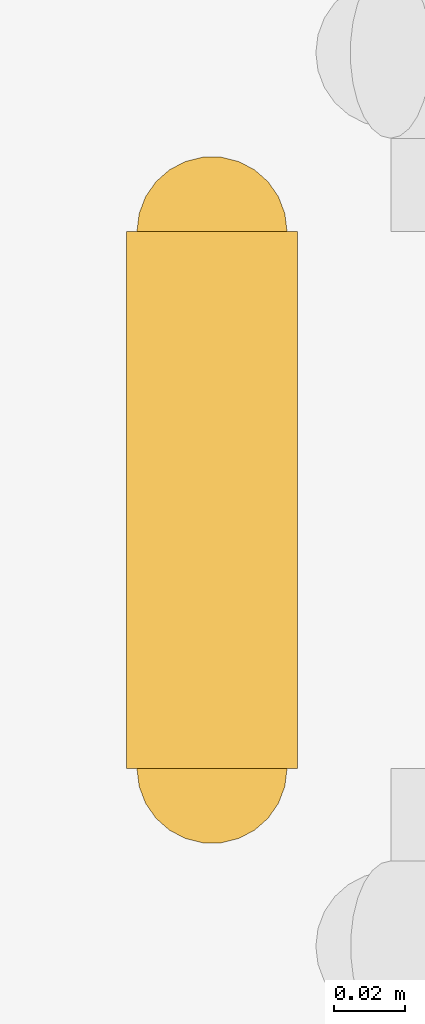
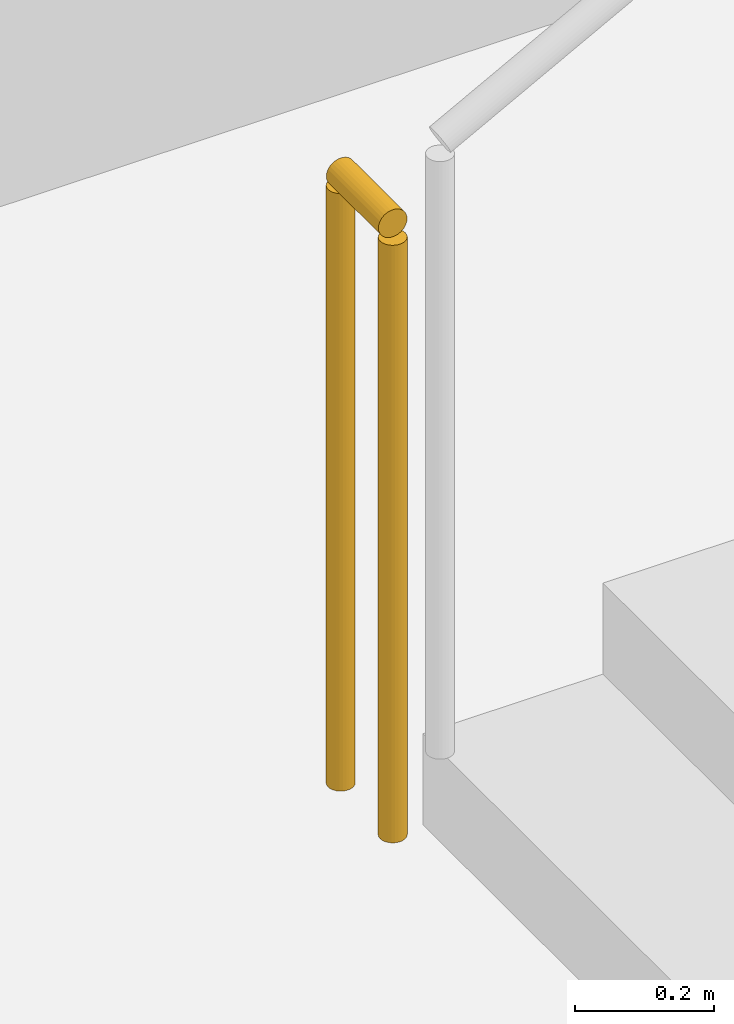
# One storey, part 76 of 83: 1 railing.
"""IFC4 building model written with IfcOpenShell, lengths in metres."""

import ifcopenshell
import ifcopenshell.guid

model = None  # the IFC model being written
_history = None  # IfcOwnerHistory: only IFC2X3 demands one
_inside = {}  # id of a spatial element -> (the spatial element, [elements in it])
_under = {}  # id of a project, library or spatial element -> (it, [spatial elements below it])
_declared = {}  # id of a project -> (the project, [libraries it declares])
_typed = {}  # id of a type object -> (the type object, [elements of that type])
_made_of = {}  # id of a material, layer set ... -> (it, [elements and type objects made of it])


def new_model(schema):
    """Start an empty IFC model of exactly this schema.

    Asked for "IFC4X3", IfcOpenShell would pick the latest addendum, in which some entities
    have other attributes; the version numbers below select the first issue.
    IFC2X3 requires an IfcOwnerHistory on every rooted entity: one is made here for all.
    """
    global model, _history
    if schema == "IFC4X3":
        model = ifcopenshell.file(schema_version=(4, 3, 0, 0))
    else:
        model = ifcopenshell.file(schema=schema)
    _inside.clear()
    _under.clear()
    _declared.clear()
    _typed.clear()
    _made_of.clear()
    _history = None
    if model.schema == "IFC2X3":
        org = make("IfcOrganization", Name="unknown")
        user = make(
            "IfcPersonAndOrganization",
            ThePerson=make("IfcPerson", FamilyName="unknown"),
            TheOrganization=org,
        )
        app = make(
            "IfcApplication",
            ApplicationDeveloper=org,
            Version="unknown",
            ApplicationFullName="unknown",
            ApplicationIdentifier="unknown",
        )
        _history = make(
            "IfcOwnerHistory",
            OwningUser=user,
            OwningApplication=app,
            ChangeAction="ADDED",
            CreationDate=0,
        )
    return model


def make(cls, **values):
    """One entity of the class cls with the attributes given. An attribute that is None is left unset."""
    return model.create_entity(
        cls, **{name: value for name, value in values.items() if value is not None}
    )


def rooted(cls, **values):
    """An entity with a GlobalId (a new one), such as an element, a storey or a relation."""
    return make(cls, GlobalId=ifcopenshell.guid.new(), OwnerHistory=_history, **values)


def si_unit(unit_type, name, prefix=None):
    """IfcSIUnit, for example si_unit("LENGTHUNIT", "METRE", prefix="MILLI")."""
    return make("IfcSIUnit", UnitType=unit_type, Prefix=prefix, Name=name)


def assignment(units):
    """IfcUnitAssignment: the units of a project."""
    return None if units is None else make("IfcUnitAssignment", Units=units)


def point(xyz):
    """IfcCartesianPoint."""
    return None if xyz is None else make("IfcCartesianPoint", Coordinates=xyz)


def direction(xyz):
    """IfcDirection."""
    return None if xyz is None else make("IfcDirection", DirectionRatios=xyz)


def frame(location, z_axis=None, x_axis=None):
    """IfcAxis2Placement3D, a coordinate frame: its origin and axes. An axis left out is left unset."""
    return make(
        "IfcAxis2Placement3D",
        Location=point(location),
        Axis=direction(z_axis),
        RefDirection=direction(x_axis),
    )


def frame_2d(location, x_axis=None):
    """IfcAxis2Placement2D, a coordinate frame in the plane: its origin and x axis."""
    return make(
        "IfcAxis2Placement2D", Location=point(location), RefDirection=direction(x_axis)
    )


def origin():
    """The frame at (0, 0, 0) with its axes left unset."""
    return frame((0.0, 0.0, 0.0))


def origin_2d():
    """The frame at (0, 0) in the plane with its x axis left unset."""
    return frame_2d((0.0, 0.0))


def place(relative_to, where):
    """IfcLocalPlacement: puts the frame where relative to a parent placement (None: the world)."""
    return make(
        "IfcLocalPlacement", PlacementRelTo=relative_to, RelativePlacement=where
    )


def context(
    kind, dimensions, precision=None, world=None, true_north=None, identifier=None
):
    """IfcGeometricRepresentationContext, for example the 3D "Model" context."""
    return make(
        "IfcGeometricRepresentationContext",
        ContextIdentifier=identifier,
        ContextType=kind,
        CoordinateSpaceDimension=dimensions,
        Precision=precision,
        WorldCoordinateSystem=world,
        TrueNorth=true_north,
    )


def subcontext(parent, identifier, kind, view, scale=None):
    """IfcGeometricRepresentationSubContext, for example "Body" below "Model"."""
    return make(
        "IfcGeometricRepresentationSubContext",
        ContextIdentifier=identifier,
        ContextType=kind,
        ParentContext=parent,
        TargetScale=scale,
        TargetView=view,
    )


def project(units=None, contexts=None):
    """IfcProject with its units and contexts."""
    return rooted(
        "IfcProject",
        Name="project",
        RepresentationContexts=contexts,
        UnitsInContext=assignment(units),
    )


def spatial(cls, under=None, at=None, **own):
    """A site, building, storey or space (cls), placed at a placement, below another one or the project."""
    s = rooted(cls, ObjectPlacement=at, **own)
    if under is not None:
        _under.setdefault(under.id(), (under, []))[1].append(s)
    return s


def profile(cls, at=None, kind="AREA", **sizes):
    """A parametric profile (cls). Its sizes go by their IFC names, for example OverallWidth=200.0."""
    return make(cls, ProfileType=kind, Position=at, **sizes)


def circle(**sizes):
    """IfcCircleProfileDef."""
    return profile("IfcCircleProfileDef", **sizes)


def extrude(swept, where, along, depth):
    """IfcExtrudedAreaSolid: the profile swept, set in the frame where, extruded along a direction by depth."""
    return make(
        "IfcExtrudedAreaSolid",
        SweptArea=swept,
        Position=where,
        ExtrudedDirection=direction(along),
        Depth=depth,
    )


def shape(context_of_items, identifier, shape_type, items):
    """IfcShapeRepresentation: the items that make up one representation, for example the "Body"."""
    return make(
        "IfcShapeRepresentation",
        ContextOfItems=context_of_items,
        RepresentationIdentifier=identifier,
        RepresentationType=shape_type,
        Items=items,
    )


def material(Name=None, Category=None):
    """IfcMaterial."""
    return make("IfcMaterial", Name=Name, Category=Category)


def made_of(thing, what):
    """Note that an element or type object is made of a material, layer set ...; save() writes the relation."""
    if what is not None:
        _made_of.setdefault(what.id(), (what, []))[1].append(thing)
    return thing


def type_object(cls, material=None, **own):
    """A type object (cls), such as IfcWallType, which elements share."""
    return made_of(rooted(cls, **own), material)


def element(
    cls,
    number,
    at=None,
    inside=None,
    cuts=None,
    type_object=None,
    material=None,
    context=None,
    identifier="Body",
    shape_type=None,
    held_by="IfcProductDefinitionShape",
    body=None,
    shapes=None,
    **own,
):
    """One element of the class cls, such as IfcWall. Its Tag is "e" and its number.

    at: its placement. inside: the storey or other place that contains it. cuts: it is an
    opening in that element (IfcRelVoidsElement). A single representation is given by context,
    identifier, shape_type and body (its items); several are given by shapes. held_by: the class
    of the entity that holds the representations. save() writes the other relations.
    """
    e = rooted(cls, Tag="e%d" % number, ObjectPlacement=at, **own)
    if body is not None:
        shapes = [shape(context, identifier, shape_type, body)]
    if shapes is not None:
        e.Representation = make(held_by, Representations=shapes)
    if inside is not None:
        _inside.setdefault(inside.id(), (inside, []))[1].append(e)
    if cuts is not None:
        rooted(
            "IfcRelVoidsElement", RelatingBuildingElement=cuts, RelatedOpeningElement=e
        )
    if type_object is not None:
        _typed.setdefault(type_object.id(), (type_object, []))[1].append(e)
    return made_of(e, material)


def aggregate(whole, parts):
    """IfcRelAggregates: a whole, such as a stair, and the parts it consists of."""
    return rooted("IfcRelAggregates", RelatingObject=whole, RelatedObjects=parts)


def save(model, path):
    """Write the relations noted so far, then the file.

    IfcRelAggregates (storeys below a building ...), IfcRelContainedInSpatialStructure (elements
    in a storey), IfcRelDefinesByType, IfcRelAssociatesMaterial and IfcRelDeclares: one each for
    every whole, place, type object, material and project.
    """
    for whole, parts in _under.values():
        aggregate(whole, parts)
    for where, things in _inside.values():
        rooted(
            "IfcRelContainedInSpatialStructure",
            RelatedElements=things,
            RelatingStructure=where,
        )
    for kind, things in _typed.values():
        rooted("IfcRelDefinesByType", RelatedObjects=things, RelatingType=kind)
    for what, things in _made_of.values():
        rooted("IfcRelAssociatesMaterial", RelatedObjects=things, RelatingMaterial=what)
    for by, libraries in _declared.values():
        rooted("IfcRelDeclares", RelatingContext=by, RelatedDefinitions=libraries)
    model.write(path)


model = new_model("IFC4")

# Units and contexts
model_context = context("Model", 3, precision=1e-05, world=origin(), true_north=direction((0.0, 1.0)))
body_context = subcontext(model_context, "Body", "Model", "MODEL_VIEW")
ifc_project = project(units=[si_unit("LENGTHUNIT", "METRE"), si_unit("AREAUNIT", "SQUARE_METRE"), si_unit("VOLUMEUNIT", "CUBIC_METRE"), si_unit("PLANEANGLEUNIT", "RADIAN"), si_unit("MASSUNIT", "GRAM", prefix="KILO"), si_unit("THERMODYNAMICTEMPERATUREUNIT", "KELVIN"), si_unit("POWERUNIT", "WATT")], contexts=[model_context])

# Site, building, storey
site_placement = place(None, origin())
site = spatial("IfcSite", under=ifc_project, at=site_placement, CompositionType="ELEMENT")
building_placement = place(site_placement, origin())
building = spatial("IfcBuilding", under=site, at=building_placement, Name="Mavoryth Pier Ferry Terminal", CompositionType="ELEMENT")
storey_placement = place(building_placement, origin())
storey = spatial("IfcBuildingStorey", under=building, at=storey_placement, Name="L00", CompositionType="ELEMENT", Elevation=0.0)

# Railing
ifc_material = material(Name="Painted Galvanised Steel Balustrade", Category="steel")
railing_type = type_object("IfcRailingType", Name="Guard-Stair-Steel1100", PredefinedType="GUARDRAIL", material=ifc_material)
railing_placement = place(storey_placement, frame((62.449951171875, 108.39990234375, 0.0)))
element("IfcRailing", 1, at=railing_placement, inside=storey, type_object=railing_type, Name="L00 ST06 stair guard 4", PredefinedType="GUARDRAIL", context=body_context, shape_type="SweptSolid", body=[
    extrude(circle(Radius=0.02392578125, at=origin_2d()), frame((0.0, 0.0, 1.076171875), z_axis=(0.0, 1.0, 0.0), x_axis=(-1.0, 0.0, 0.0)), (0.0, 0.0, 1.0), 0.150146484375),
    extrude(circle(Radius=0.02099609375, at=origin_2d()), origin(), (0.0, 0.0, 1.0), 1.052001953125),
    extrude(circle(Radius=0.02099609375, at=origin_2d()), frame((0.0, 0.150146484375, 0.0)), (0.0, 0.0, 1.0), 1.052001953125),
])

save(model, "model.ifc")
